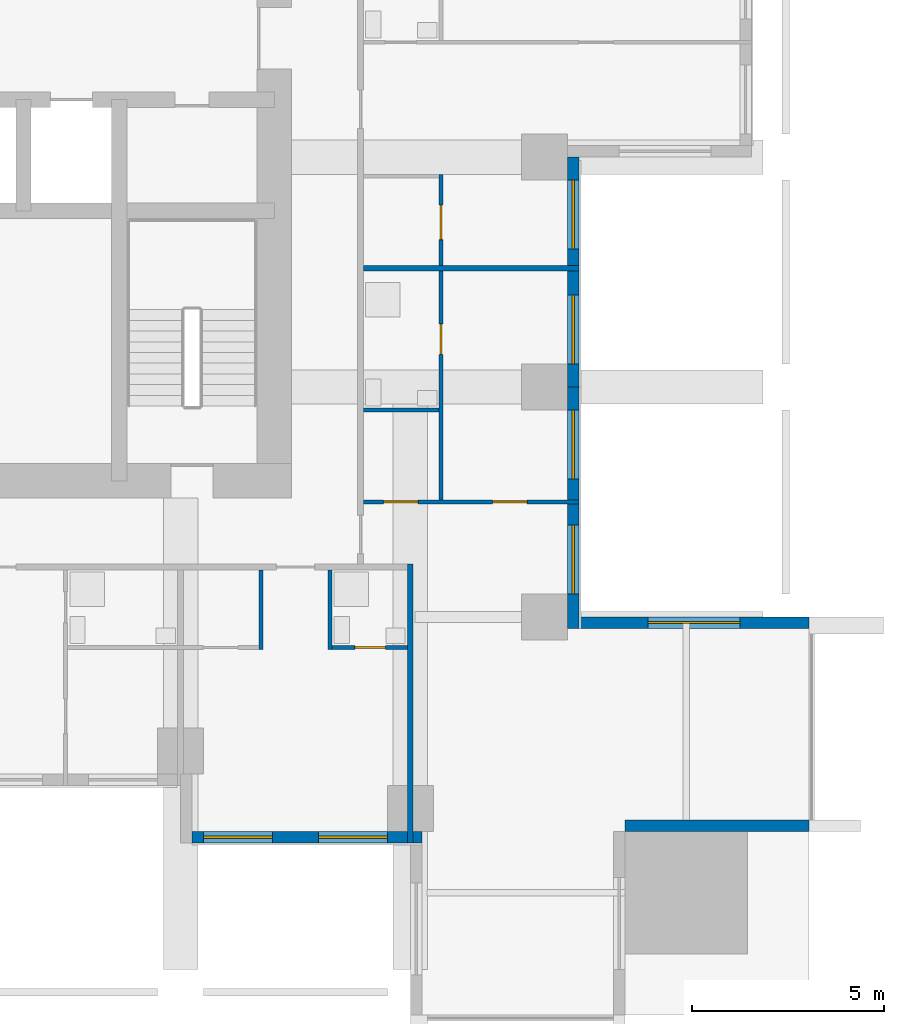
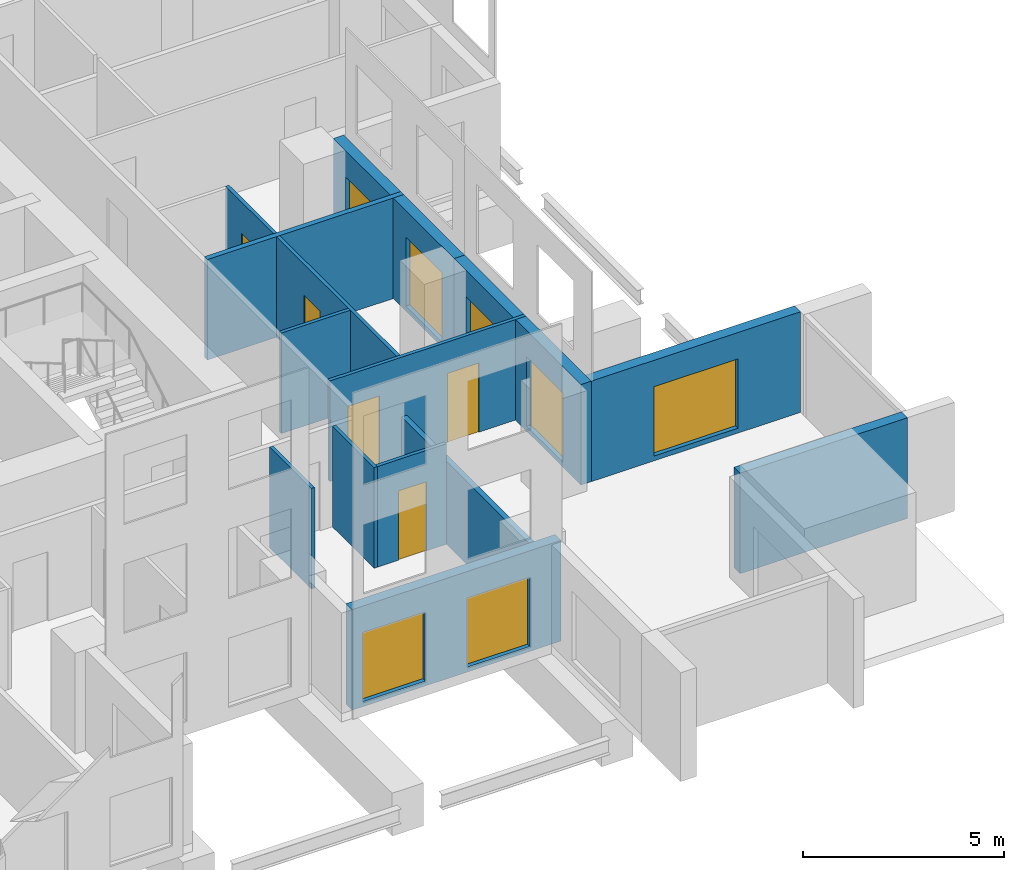
# One storey, part 6 of 15: 13 walls, 7 windows, 5 doors, 12 openings.
"""IFC4 building model written with IfcOpenShell, lengths in metres."""

from ifc_helpers import new_model, si_unit, direction, frame, frame_2d, origin, place, context, subcontext, project, spatial, rectangle, extrude, material, layer, layer_set, type_object, element, fill, save


model = new_model("IFC4")

# Units and contexts
model_context = context("Model", 3, precision=1e-05, world=origin(), true_north=direction((0.0, 1.0)))
body_context = subcontext(model_context, "Body", "Model", "MODEL_VIEW")
ifc_project = project(units=[si_unit("LENGTHUNIT", "METRE"), si_unit("AREAUNIT", "SQUARE_METRE"), si_unit("VOLUMEUNIT", "CUBIC_METRE"), si_unit("PLANEANGLEUNIT", "RADIAN"), si_unit("MASSUNIT", "GRAM", prefix="KILO")], contexts=[model_context])

# Site, building, storey
site_placement = place(None, origin())
site = spatial("IfcSite", under=ifc_project, at=site_placement, CompositionType="ELEMENT")
building_placement = place(site_placement, origin())
building = spatial("IfcBuilding", under=site, at=building_placement, Name="Amberfall Residences", CompositionType="ELEMENT")
storey_placement = place(building_placement, frame((0.0, 0.0, 23.5)))
storey = spatial("IfcBuildingStorey", under=building, at=storey_placement, Name="L05", CompositionType="ELEMENT", Elevation=23.5)

# Wall
ifc_material_1 = material(Name="Pale stone cladding on insulated backing", Category="masonry")
ifc_layer_1 = layer(ifc_material_1, 0.300048828125)
ifc_layer_set_1 = layer_set([ifc_layer_1], Name="Bronze clad wall 300")
wall_type_1 = type_object("IfcWallType", Name="Bronze clad wall 300", PredefinedType="SOLIDWALL", material=ifc_layer_set_1)
wall_1_placement = place(storey_placement, frame((95.199951171875, 24.949951171875, 0.0), z_axis=(0.0, 0.0, 1.0), x_axis=(1.0, 0.0, 0.0)))
element("IfcWall", 1, at=wall_1_placement, inside=storey, type_object=wall_type_1, Name="External wall L05 SE", PredefinedType="SOLIDWALL", context=body_context, shape_type="SweptSolid", body=[
    extrude(rectangle(XDim=4.800048828125, YDim=0.300048828125, at=frame_2d((2.39990234375, 0.0))), origin(), (0.0, 0.0, 1.0), 3.050048828125),
])

# Wall, opening, window
wall_2_placement = place(storey_placement, frame((100.0, 30.25, 0.0), z_axis=(0.0, 0.0, 1.0), x_axis=(-1.0, 0.0, 0.0)))
wall_2 = element("IfcWall", 2, at=wall_2_placement, inside=storey, type_object=wall_type_1, Name="External wall L05 E", PredefinedType="SOLIDWALL", context=body_context, shape_type="SweptSolid", body=[
    extrude(rectangle(XDim=6.0, YDim=0.300048828125, at=frame_2d((3.0, 0.0))), origin(), (0.0, 0.0, 1.0), 3.050048828125),
])
opening_1_placement = place(wall_2_placement, frame((1.800048828125, 0.0, 0.14990234375)))
opening_1 = element("IfcOpeningElement", 3, at=opening_1_placement, cuts=wall_2, Name="Opening WN5", PredefinedType="OPENING", context=body_context, shape_type="SweptSolid", body=[
    extrude(rectangle(XDim=2.39990234375, YDim=2.10009765625, at=frame_2d((1.199951171875, 1.050048828125))), frame((0.0, 0.159912109375, 0.0), z_axis=(0.0, -1.0, 0.0), x_axis=(1.0, 0.0, 0.0)), (0.0, 0.0, 1.0), 0.320068359375),
])
ifc_material_2 = material(Name="Bronze aluminium framed glazing", Category="aluminium")
window_type_1 = type_object("IfcWindowType", Name="Glazed opening 2400 x 2100 bronze", PartitioningType="DOUBLE_PANEL_VERTICAL", PredefinedType="WINDOW", material=ifc_material_2)
window_1_placement = place(opening_1_placement, origin())
window_1 = element("IfcWindow", 4, at=window_1_placement, inside=storey, type_object=window_type_1, Name="Window L05 E", OverallHeight=2.10009765625, OverallWidth=2.39990234375, PartitioningType="DOUBLE_PANEL_VERTICAL", PredefinedType="WINDOW", context=body_context, shape_type="SweptSolid", body=[
    extrude(rectangle(XDim=2.39990234375, YDim=2.10009765625, at=frame_2d((1.199951171875, 1.050048828125))), frame((0.0, 0.030029296875, 0.0), z_axis=(0.0, -1.0, 0.0), x_axis=(1.0, 0.0, 0.0)), (0.0, 0.0, 1.0), 0.06005859375),
])
fill(opening_1, window_1)

# Wall, openings, windows
wall_3_placement = place(storey_placement, frame((83.89990234375, 24.64990234375, 0.0), z_axis=(0.0, 0.0, 1.0), x_axis=(1.0, 0.0, 0.0)))
wall_3 = element("IfcWall", 5, at=wall_3_placement, inside=storey, type_object=wall_type_1, Name="Stone wall L05 S", PredefinedType="SOLIDWALL", context=body_context, shape_type="SweptSolid", body=[
    extrude(rectangle(XDim=6.0, YDim=0.300048828125, at=frame_2d((3.0, 0.0))), origin(), (0.0, 0.0, 1.0), 3.050048828125),
])
opening_2_placement = place(wall_3_placement, frame((0.300048828125, 0.0, 0.14990234375)))
opening_2 = element("IfcOpeningElement", 6, at=opening_2_placement, cuts=wall_3, Name="Opening WN6", PredefinedType="OPENING", context=body_context, shape_type="SweptSolid", body=[
    extrude(rectangle(XDim=1.800048828125, YDim=2.10009765625, at=frame_2d((0.89990234375, 1.050048828125))), frame((0.0, 0.159912109375, 0.0), z_axis=(0.0, -1.0, 0.0), x_axis=(1.0, 0.0, 0.0)), (0.0, 0.0, 1.0), 0.320068359375),
])
opening_3_placement = place(wall_3_placement, frame((3.300048828125, 0.0, 0.14990234375)))
opening_3 = element("IfcOpeningElement", 7, at=opening_3_placement, cuts=wall_3, Name="Opening WN6", PredefinedType="OPENING", context=body_context, shape_type="SweptSolid", body=[
    extrude(rectangle(XDim=1.800048828125, YDim=2.10009765625, at=frame_2d((0.89990234375, 1.050048828125))), frame((0.0, 0.159912109375, 0.0), z_axis=(0.0, -1.0, 0.0), x_axis=(1.0, 0.0, 0.0)), (0.0, 0.0, 1.0), 0.320068359375),
])
window_type_2 = type_object("IfcWindowType", Name="Glazed opening 1800 x 2100 bronze", PartitioningType="DOUBLE_PANEL_VERTICAL", PredefinedType="WINDOW", material=ifc_material_2)
window_2_placement = place(opening_2_placement, origin())
window_2 = element("IfcWindow", 8, at=window_2_placement, inside=storey, type_object=window_type_2, Name="Window L05 S", OverallHeight=2.10009765625, OverallWidth=1.800048828125, PartitioningType="DOUBLE_PANEL_VERTICAL", PredefinedType="WINDOW", context=body_context, shape_type="SweptSolid", body=[
    extrude(rectangle(XDim=1.800048828125, YDim=2.10009765625, at=frame_2d((0.89990234375, 1.050048828125))), frame((0.0, 0.030029296875, 0.0), z_axis=(0.0, -1.0, 0.0), x_axis=(1.0, 0.0, 0.0)), (0.0, 0.0, 1.0), 0.06005859375),
])
fill(opening_2, window_2)
window_3_placement = place(opening_3_placement, origin())
window_3 = element("IfcWindow", 9, at=window_3_placement, inside=storey, type_object=window_type_2, Name="Window L05 S", OverallHeight=2.10009765625, OverallWidth=1.800048828125, PartitioningType="DOUBLE_PANEL_VERTICAL", PredefinedType="WINDOW", context=body_context, shape_type="SweptSolid", body=[
    extrude(rectangle(XDim=1.800048828125, YDim=2.10009765625, at=frame_2d((0.89990234375, 1.050048828125))), frame((0.0, 0.030029296875, 0.0), z_axis=(0.0, -1.0, 0.0), x_axis=(1.0, 0.0, 0.0)), (0.0, 0.0, 1.0), 0.06005859375),
])
fill(opening_3, window_3)

wall_4_placement = place(storey_placement, frame((93.85009765625, 30.10009765625, 0.0), z_axis=(0.0, 0.0, 1.0), x_axis=(0.0, 1.0, 0.0)))
wall_4 = element("IfcWall", 10, at=wall_4_placement, inside=storey, type_object=wall_type_1, Name="Stone wall L05 E", PredefinedType="SOLIDWALL", context=body_context, shape_type="SweptSolid", body=[
    extrude(rectangle(XDim=6.2998046875, YDim=0.300048828125, at=frame_2d((3.14990234375, 0.0))), origin(), (0.0, 0.0, 1.0), 3.050048828125),
])
opening_4_placement = place(wall_4_placement, frame((0.89990234375, 0.0, 0.14990234375)))
opening_4 = element("IfcOpeningElement", 11, at=opening_4_placement, cuts=wall_4, Name="Opening WN6", PredefinedType="OPENING", context=body_context, shape_type="SweptSolid", body=[
    extrude(rectangle(XDim=1.800048828125, YDim=2.10009765625, at=frame_2d((0.89990234375, 1.050048828125))), frame((0.0, 0.159912109375, 0.0), z_axis=(0.0, -1.0, 0.0), x_axis=(1.0, 0.0, 0.0)), (0.0, 0.0, 1.0), 0.320068359375),
])
opening_5_placement = place(wall_4_placement, frame((3.89990234375, 0.0, 0.14990234375)))
opening_5 = element("IfcOpeningElement", 12, at=opening_5_placement, cuts=wall_4, Name="Opening WN6", PredefinedType="OPENING", context=body_context, shape_type="SweptSolid", body=[
    extrude(rectangle(XDim=1.800048828125, YDim=2.10009765625, at=frame_2d((0.89990234375, 1.050048828125))), frame((0.0, 0.159912109375, 0.0), z_axis=(0.0, -1.0, 0.0), x_axis=(1.0, 0.0, 0.0)), (0.0, 0.0, 1.0), 0.320068359375),
])
window_4_placement = place(opening_4_placement, origin())
window_4 = element("IfcWindow", 13, at=window_4_placement, inside=storey, type_object=window_type_2, Name="Window L05 E", OverallHeight=2.10009765625, OverallWidth=1.800048828125, PartitioningType="DOUBLE_PANEL_VERTICAL", PredefinedType="WINDOW", context=body_context, shape_type="SweptSolid", body=[
    extrude(rectangle(XDim=1.800048828125, YDim=2.10009765625, at=frame_2d((0.89990234375, 1.050048828125))), frame((0.0, 0.030029296875, 0.0), z_axis=(0.0, -1.0, 0.0), x_axis=(1.0, 0.0, 0.0)), (0.0, 0.0, 1.0), 0.06005859375),
])
fill(opening_4, window_4)
window_5_placement = place(opening_5_placement, origin())
window_5 = element("IfcWindow", 14, at=window_5_placement, inside=storey, type_object=window_type_2, Name="Window L05 E", OverallHeight=2.10009765625, OverallWidth=1.800048828125, PartitioningType="DOUBLE_PANEL_VERTICAL", PredefinedType="WINDOW", context=body_context, shape_type="SweptSolid", body=[
    extrude(rectangle(XDim=1.800048828125, YDim=2.10009765625, at=frame_2d((0.89990234375, 1.050048828125))), frame((0.0, 0.030029296875, 0.0), z_axis=(0.0, -1.0, 0.0), x_axis=(1.0, 0.0, 0.0)), (0.0, 0.0, 1.0), 0.06005859375),
])
fill(opening_5, window_5)

wall_5_placement = place(storey_placement, frame((93.85009765625, 36.39990234375, 0.0), z_axis=(0.0, 0.0, 1.0), x_axis=(0.0, 1.0, 0.0)))
wall_5 = element("IfcWall", 15, at=wall_5_placement, inside=storey, type_object=wall_type_1, Name="Stone wall L05 E", PredefinedType="SOLIDWALL", context=body_context, shape_type="SweptSolid", body=[
    extrude(rectangle(XDim=6.0, YDim=0.300048828125, at=frame_2d((3.0, 0.0))), origin(), (0.0, 0.0, 1.0), 3.050048828125),
])
opening_6_placement = place(wall_5_placement, frame((0.60009765625, 0.0, 0.14990234375)))
opening_6 = element("IfcOpeningElement", 16, at=opening_6_placement, cuts=wall_5, Name="Opening WN6", PredefinedType="OPENING", context=body_context, shape_type="SweptSolid", body=[
    extrude(rectangle(XDim=1.800048828125, YDim=2.10009765625, at=frame_2d((0.89990234375, 1.050048828125))), frame((0.0, 0.159912109375, 0.0), z_axis=(0.0, -1.0, 0.0), x_axis=(1.0, 0.0, 0.0)), (0.0, 0.0, 1.0), 0.320068359375),
])
opening_7_placement = place(wall_5_placement, frame((3.60009765625, 0.0, 0.14990234375)))
opening_7 = element("IfcOpeningElement", 17, at=opening_7_placement, cuts=wall_5, Name="Opening WN6", PredefinedType="OPENING", context=body_context, shape_type="SweptSolid", body=[
    extrude(rectangle(XDim=1.800048828125, YDim=2.10009765625, at=frame_2d((0.89990234375, 1.050048828125))), frame((0.0, 0.159912109375, 0.0), z_axis=(0.0, -1.0, 0.0), x_axis=(1.0, 0.0, 0.0)), (0.0, 0.0, 1.0), 0.320068359375),
])
window_6_placement = place(opening_6_placement, origin())
window_6 = element("IfcWindow", 18, at=window_6_placement, inside=storey, type_object=window_type_2, Name="Window L05 E", OverallHeight=2.10009765625, OverallWidth=1.800048828125, PartitioningType="DOUBLE_PANEL_VERTICAL", PredefinedType="WINDOW", context=body_context, shape_type="SweptSolid", body=[
    extrude(rectangle(XDim=1.800048828125, YDim=2.10009765625, at=frame_2d((0.89990234375, 1.050048828125))), frame((0.0, 0.030029296875, 0.0), z_axis=(0.0, -1.0, 0.0), x_axis=(1.0, 0.0, 0.0)), (0.0, 0.0, 1.0), 0.06005859375),
])
fill(opening_6, window_6)
window_7_placement = place(opening_7_placement, origin())
window_7 = element("IfcWindow", 19, at=window_7_placement, inside=storey, type_object=window_type_2, Name="Window L05 E", OverallHeight=2.10009765625, OverallWidth=1.800048828125, PartitioningType="DOUBLE_PANEL_VERTICAL", PredefinedType="WINDOW", context=body_context, shape_type="SweptSolid", body=[
    extrude(rectangle(XDim=1.800048828125, YDim=2.10009765625, at=frame_2d((0.89990234375, 1.050048828125))), frame((0.0, 0.030029296875, 0.0), z_axis=(0.0, -1.0, 0.0), x_axis=(1.0, 0.0, 0.0)), (0.0, 0.0, 1.0), 0.06005859375),
])
fill(opening_7, window_7)

# Walls
ifc_material_3 = material(Name="Gypsum board on metal stud")
ifc_layer_2 = layer(ifc_material_3, 0.10009765625)
ifc_layer_set_2 = layer_set([ifc_layer_2], Name="Flat partition 100")
wall_type_2 = type_object("IfcWallType", Name="Flat partition 100", PredefinedType="PARTITIONING", material=ifc_layer_set_2)
for number, where, z_axis, x_axis, name in (
    (20, (85.699951171875, 29.550048828125, 0.0), (0.0, 0.0, 1.0), (0.0, 1.0, 0.0), "Partition 017"),
    (21, (87.5, 29.550048828125, 0.0), (0.0, 0.0, 1.0), (0.0, 1.0, 0.0), "Partition 018"),
):
    element("IfcWall", number, at=place(storey_placement, frame(where, z_axis=z_axis, x_axis=x_axis)), inside=storey, type_object=wall_type_2, Name=name, PredefinedType="PARTITIONING", context=body_context, shape_type="SweptSolid", body=[
        extrude(rectangle(XDim=2.074951171875, YDim=0.10009765625, at=frame_2d((1.03759765625, 0.0))), origin(), (0.0, 0.0, 1.0), 3.050048828125),
    ])

# Wall, openings, doors
wall_6_placement = place(storey_placement, frame((90.39990234375, 33.449951171875, 0.0), z_axis=(0.0, 0.0, 1.0), x_axis=(0.0, 1.0, 0.0)))
wall_6 = element("IfcWall", 22, at=wall_6_placement, inside=storey, type_object=wall_type_2, Name="Partition 019", PredefinedType="PARTITIONING", context=body_context, shape_type="SweptSolid", body=[
    extrude(rectangle(XDim=8.5, YDim=0.10009765625, at=frame_2d((4.25, 0.0))), origin(), (0.0, 0.0, 1.0), 3.050048828125),
])
opening_8_placement = place(wall_6_placement, frame((3.800048828125, 0.0, 0.0)))
opening_8 = element("IfcOpeningElement", 23, at=opening_8_placement, cuts=wall_6, Name="Opening D42", PredefinedType="OPENING", context=body_context, shape_type="SweptSolid", body=[
    extrude(rectangle(XDim=0.800048828125, YDim=2.10009765625, at=frame_2d((0.39990234375, 1.050048828125))), frame((0.0, 0.06005859375, 0.0), z_axis=(0.0, -1.0, 0.0), x_axis=(1.0, 0.0, 0.0)), (0.0, 0.0, 1.0), 0.1201171875),
])
opening_9_placement = place(wall_6_placement, frame((6.800048828125, 0.0, 0.0)))
opening_9 = element("IfcOpeningElement", 24, at=opening_9_placement, cuts=wall_6, Name="Opening D41", PredefinedType="OPENING", context=body_context, shape_type="SweptSolid", body=[
    extrude(rectangle(XDim=0.89990234375, YDim=2.10009765625, at=frame_2d((0.449951171875, 1.050048828125))), frame((0.0, 0.06005859375, 0.0), z_axis=(0.0, -1.0, 0.0), x_axis=(1.0, 0.0, 0.0)), (0.0, 0.0, 1.0), 0.1201171875),
])
ifc_material_4 = material(Name="Timber", Category="wood")
door_type_1 = type_object("IfcDoorType", Name="Bathroom door 800 x 2100", OperationType="SINGLE_SWING_LEFT", PredefinedType="DOOR", material=ifc_material_4)
door_1_placement = place(opening_8_placement, origin())
door_1 = element("IfcDoor", 25, at=door_1_placement, inside=storey, type_object=door_type_1, Name="Door 0504 bath1", OperationType="SINGLE_SWING_LEFT", OverallHeight=2.10009765625, OverallWidth=0.800048828125, PredefinedType="DOOR", context=body_context, shape_type="SweptSolid", body=[
    extrude(rectangle(XDim=0.800048828125, YDim=2.10009765625, at=frame_2d((0.39990234375, 1.050048828125))), frame((0.0, 0.02490234375, 0.0), z_axis=(0.0, -1.0, 0.0), x_axis=(1.0, 0.0, 0.0)), (0.0, 0.0, 1.0), 0.050048828125),
])
fill(opening_8, door_1)
door_type_2 = type_object("IfcDoorType", Name="Internal door 900 x 2100", OperationType="SINGLE_SWING_LEFT", PredefinedType="DOOR", material=ifc_material_4)
door_2_placement = place(opening_9_placement, origin())
door_2 = element("IfcDoor", 26, at=door_2_placement, inside=storey, type_object=door_type_2, Name="Door 0505 kitchen", OperationType="SINGLE_SWING_LEFT", OverallHeight=2.10009765625, OverallWidth=0.89990234375, PredefinedType="DOOR", context=body_context, shape_type="SweptSolid", body=[
    extrude(rectangle(XDim=0.89990234375, YDim=2.10009765625, at=frame_2d((0.449951171875, 1.050048828125))), frame((0.0, 0.02490234375, 0.0), z_axis=(0.0, -1.0, 0.0), x_axis=(1.0, 0.0, 0.0)), (0.0, 0.0, 1.0), 0.050048828125),
])
fill(opening_9, door_2)

# Wall
wall_7_placement = place(storey_placement, frame((88.375, 35.800048828125, 0.0), z_axis=(0.0, 0.0, 1.0), x_axis=(1.0, 0.0, 0.0)))
element("IfcWall", 27, at=wall_7_placement, inside=storey, type_object=wall_type_2, Name="Partition 037", PredefinedType="PARTITIONING", context=body_context, shape_type="SweptSolid", body=[
    extrude(rectangle(XDim=1.97509765625, YDim=0.10009765625, at=frame_2d((0.987548828125, 0.0))), origin(), (0.0, 0.0, 1.0), 3.050048828125),
])

# Wall, openings, doors
wall_8_placement = place(storey_placement, frame((88.375, 33.39990234375, 0.0), z_axis=(0.0, 0.0, 1.0), x_axis=(1.0, 0.0, 0.0)))
wall_8 = element("IfcWall", 28, at=wall_8_placement, inside=storey, type_object=wall_type_2, Name="Partition 039", PredefinedType="PARTITIONING", context=body_context, shape_type="SweptSolid", body=[
    extrude(rectangle(XDim=5.625, YDim=0.10009765625, at=frame_2d((2.8125, 0.0))), origin(), (0.0, 0.0, 1.0), 3.050048828125),
])
opening_10_placement = place(wall_8_placement, frame((0.52490234375, 0.0, 0.0)))
opening_10 = element("IfcOpeningElement", 29, at=opening_10_placement, cuts=wall_8, Name="Opening D41", PredefinedType="OPENING", context=body_context, shape_type="SweptSolid", body=[
    extrude(rectangle(XDim=0.89990234375, YDim=2.10009765625, at=frame_2d((0.449951171875, 1.050048828125))), frame((0.0, 0.06005859375, 0.0), z_axis=(0.0, -1.0, 0.0), x_axis=(1.0, 0.0, 0.0)), (0.0, 0.0, 1.0), 0.1201171875),
])
opening_11_placement = place(wall_8_placement, frame((3.375, 0.0, 0.0)))
opening_11 = element("IfcOpeningElement", 30, at=opening_11_placement, cuts=wall_8, Name="Opening D41", PredefinedType="OPENING", context=body_context, shape_type="SweptSolid", body=[
    extrude(rectangle(XDim=0.89990234375, YDim=2.10009765625, at=frame_2d((0.449951171875, 1.050048828125))), frame((0.0, 0.06005859375, 0.0), z_axis=(0.0, -1.0, 0.0), x_axis=(1.0, 0.0, 0.0)), (0.0, 0.0, 1.0), 0.1201171875),
])
door_3_placement = place(opening_10_placement, origin())
door_3 = element("IfcDoor", 31, at=door_3_placement, inside=storey, type_object=door_type_2, Name="Door 0504 kitchen", OperationType="SINGLE_SWING_LEFT", OverallHeight=2.10009765625, OverallWidth=0.89990234375, PredefinedType="DOOR", context=body_context, shape_type="SweptSolid", body=[
    extrude(rectangle(XDim=0.89990234375, YDim=2.10009765625, at=frame_2d((0.449951171875, 1.050048828125))), frame((0.0, 0.02490234375, 0.0), z_axis=(0.0, -1.0, 0.0), x_axis=(1.0, 0.0, 0.0)), (0.0, 0.0, 1.0), 0.050048828125),
])
fill(opening_10, door_3)
door_4_placement = place(opening_11_placement, origin())
door_4 = element("IfcDoor", 32, at=door_4_placement, inside=storey, type_object=door_type_2, Name="Door 0504 bedroom1", OperationType="SINGLE_SWING_LEFT", OverallHeight=2.10009765625, OverallWidth=0.89990234375, PredefinedType="DOOR", context=body_context, shape_type="SweptSolid", body=[
    extrude(rectangle(XDim=0.89990234375, YDim=2.10009765625, at=frame_2d((0.449951171875, 1.050048828125))), frame((0.0, 0.02490234375, 0.0), z_axis=(0.0, -1.0, 0.0), x_axis=(1.0, 0.0, 0.0)), (0.0, 0.0, 1.0), 0.050048828125),
])
fill(opening_11, door_4)

# Wall, opening, door
wall_9_placement = place(storey_placement, frame((87.550048828125, 29.60009765625, 0.0), z_axis=(0.0, 0.0, 1.0), x_axis=(1.0, 0.0, 0.0)))
wall_9 = element("IfcWall", 33, at=wall_9_placement, inside=storey, type_object=wall_type_2, Name="Partition 043", PredefinedType="PARTITIONING", context=body_context, shape_type="SweptSolid", body=[
    extrude(rectangle(XDim=1.974853515625, YDim=0.10009765625, at=frame_2d((0.9873046875, 0.0))), origin(), (0.0, 0.0, 1.0), 3.050048828125),
])
opening_12_placement = place(wall_9_placement, frame((0.60009765625, 0.0, 0.0)))
opening_12 = element("IfcOpeningElement", 34, at=opening_12_placement, cuts=wall_9, Name="Opening D42", PredefinedType="OPENING", context=body_context, shape_type="SweptSolid", body=[
    extrude(rectangle(XDim=0.800048828125, YDim=2.10009765625, at=frame_2d((0.39990234375, 1.050048828125))), frame((0.0, 0.06005859375, 0.0), z_axis=(0.0, -1.0, 0.0), x_axis=(1.0, 0.0, 0.0)), (0.0, 0.0, 1.0), 0.1201171875),
])
door_5_placement = place(opening_12_placement, origin())
door_5 = element("IfcDoor", 35, at=door_5_placement, inside=storey, type_object=door_type_1, Name="Door 0503 bath1", OperationType="SINGLE_SWING_LEFT", OverallHeight=2.10009765625, OverallWidth=0.800048828125, PredefinedType="DOOR", context=body_context, shape_type="SweptSolid", body=[
    extrude(rectangle(XDim=0.800048828125, YDim=2.10009765625, at=frame_2d((0.39990234375, 1.050048828125))), frame((0.0, 0.02490234375, 0.0), z_axis=(0.0, -1.0, 0.0), x_axis=(1.0, 0.0, 0.0)), (0.0, 0.0, 1.0), 0.050048828125),
])
fill(opening_12, door_5)

# Walls
ifc_material_5 = material(Name="Blockwork, plastered", Category="masonry")
ifc_layer_3 = layer(ifc_material_5, 0.14990234375)
ifc_layer_set_3 = layer_set([ifc_layer_3], Name="Flat separating wall 150")
wall_type_3 = type_object("IfcWallType", Name="Flat separating wall 150", PredefinedType="PARTITIONING", material=ifc_layer_set_3)
wall_10_placement = place(storey_placement, frame((89.60009765625, 24.5, 0.0), z_axis=(0.0, 0.0, 1.0), x_axis=(0.0, 1.0, 0.0)))
element("IfcWall", 36, at=wall_10_placement, inside=storey, type_object=wall_type_3, Name="Separating wall 052", PredefinedType="PARTITIONING", context=body_context, shape_type="SweptSolid", body=[
    extrude(rectangle(XDim=7.27490234375, YDim=0.14990234375, at=frame_2d((3.637451171875, 0.0))), origin(), (0.0, 0.0, 1.0), 2.51611328125),
])
wall_11_placement = place(storey_placement, frame((88.375, 39.5, 0.0), z_axis=(0.0, 0.0, 1.0), x_axis=(1.0, 0.0, 0.0)))
element("IfcWall", 37, at=wall_11_placement, inside=storey, type_object=wall_type_3, Name="Separating wall 058", PredefinedType="PARTITIONING", context=body_context, shape_type="SweptSolid", body=[
    extrude(rectangle(XDim=5.625, YDim=0.14990234375, at=frame_2d((2.8125, 0.0))), origin(), (0.0, 0.0, 1.0), 3.050048828125),
])

save(model, "model.ifc")
